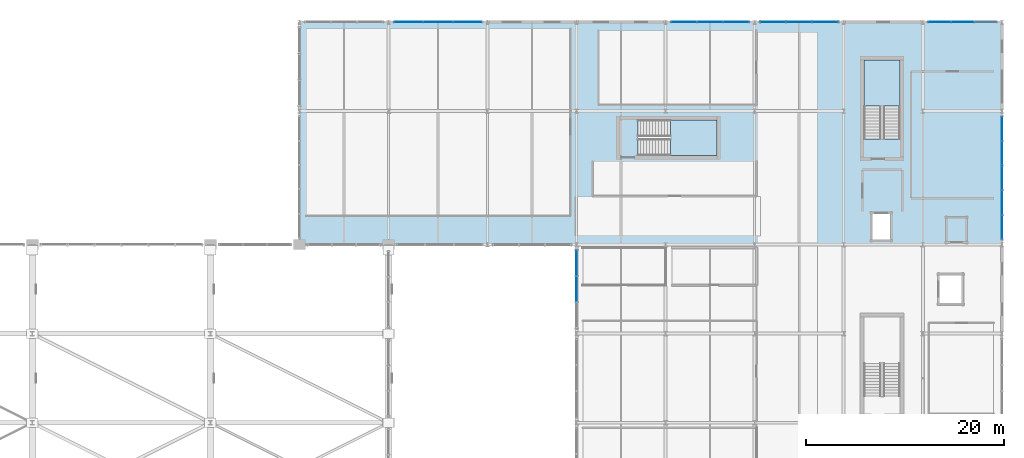
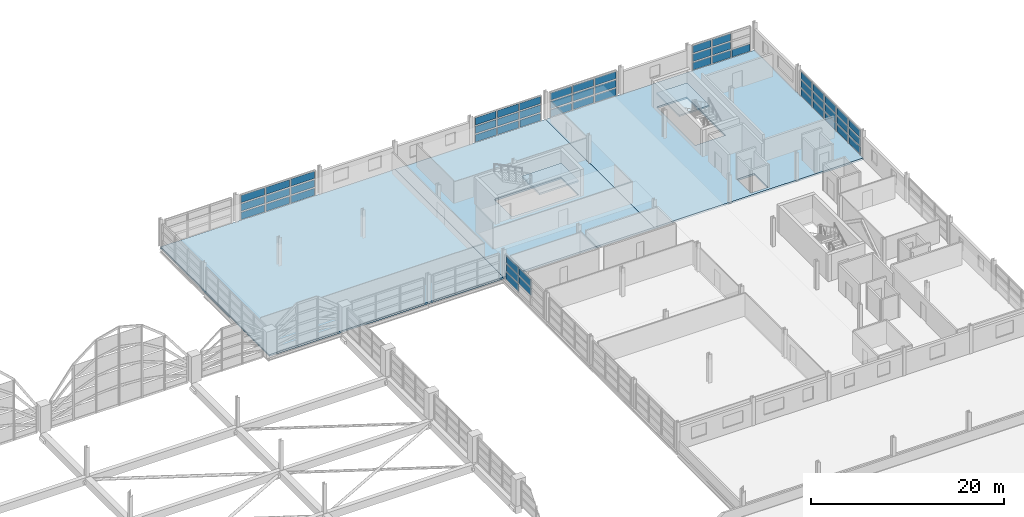
# One storey, part 96 of 116: 54 plates, 5 slabs, 8 elements without a shape of their own.
"""IFC4 building model written with IfcOpenShell, lengths in metres."""

from ifc_helpers import new_model, si_unit, direction, frame, origin, origin_2d, place, context, subcontext, project, spatial, polyline, rectangle, outline, extrude, material, layer, layer_set, type_object, element, aggregate, save


model = new_model("IFC4")

# Units and contexts
model_context = context("Model", 3, precision=1e-05, world=origin(), true_north=direction((0.0, 1.0)))
body_context = subcontext(model_context, "Body", "Model", "MODEL_VIEW")
ifc_project = project(units=[si_unit("LENGTHUNIT", "METRE"), si_unit("AREAUNIT", "SQUARE_METRE"), si_unit("VOLUMEUNIT", "CUBIC_METRE"), si_unit("PLANEANGLEUNIT", "RADIAN"), si_unit("MASSUNIT", "GRAM", prefix="KILO")], contexts=[model_context])

# Site, building, storey
site_placement = place(None, origin())
site = spatial("IfcSite", under=ifc_project, at=site_placement, CompositionType="ELEMENT")
building_placement = place(site_placement, origin())
building = spatial("IfcBuilding", under=site, at=building_placement, Name="Chuanluo Vaults Station", CompositionType="ELEMENT")
storey_placement = place(building_placement, frame((0.0, 0.0, 10.800048828125)))
storey = spatial("IfcBuildingStorey", under=building, at=storey_placement, Name="L02", CompositionType="ELEMENT", Elevation=10.800048828125)

# Curtain wall, plate
ifc_material_1 = material(Name="Anodised aluminium 6063-T6", Category="aluminium")
curtain_wall_type_1 = type_object("IfcCurtainWallType", Name="CW-SYS-05", PredefinedType="NOTDEFINED", material=ifc_material_1)
curtain_wall_1_placement = place(storey_placement, origin())
curtain_wall_1 = element("IfcCurtainWall", 1, at=curtain_wall_1_placement, inside=storey, type_object=curtain_wall_type_1, Name="Operations L02 facade CW", PredefinedType="NOTDEFINED")
ifc_material_2 = material(Name="Ceramic-fritted spandrel glass", Category="glass")
ifc_layer_1 = layer(ifc_material_2, 0.06396484375)
ifc_layer_set_1 = layer_set([ifc_layer_1], Name="Ceramic-fritted spandrel glass")
plate_type_1 = type_object("IfcPlateType", Name="CWP-SPN-42", PredefinedType="SHEET", material=ifc_layer_set_1)
plate_1_placement = place(storey_placement, frame((145.0, 101.64990234375, 0.079833984375), z_axis=(0.0, 0.0, 1.0), x_axis=(0.0, 1.0, 0.0)))
plate_1 = element("IfcPlate", 2, at=plate_1_placement, type_object=plate_type_1, Name="Operations L02 facade CW glazed panel 3.1", PredefinedType="SHEET", context=body_context, shape_type="SweptSolid", body=[
    extrude(rectangle(XDim=2.489990234375, YDim=0.06396484375, at=origin_2d()), origin(), (0.0, 0.0, 1.0), 0.90673828125),
])

# Curtain wall, plates
ifc_material_3 = material(Name="Anodised aluminium 6063-T6", Category="aluminium")
curtain_wall_type_2 = type_object("IfcCurtainWallType", Name="CW-SYS-11", PredefinedType="NOTDEFINED", material=ifc_material_3)
curtain_wall_2_placement = place(storey_placement, origin())
curtain_wall_2 = element("IfcCurtainWall", 3, at=curtain_wall_2_placement, inside=storey, type_object=curtain_wall_type_2, Name="Operations L02 facade CW", PredefinedType="NOTDEFINED")
plate_2_placement = place(storey_placement, frame((128.0166015625, 126.0, 0.079833984375), z_axis=(0.0, 0.0, 1.0), x_axis=(1.0, 0.0, 0.0)))
plate_2 = element("IfcPlate", 4, at=plate_2_placement, type_object=plate_type_1, Name="Operations L02 facade CW glazed panel 1.1", PredefinedType="SHEET", context=body_context, shape_type="SweptSolid", body=[
    extrude(rectangle(XDim=2.8232421875, YDim=0.06396484375, at=origin_2d()), origin(), (0.0, 0.0, 1.0), 0.90673828125),
])
plate_3_placement = place(storey_placement, frame((131.0, 126.0, 0.079833984375), z_axis=(0.0, 0.0, 1.0), x_axis=(1.0, 0.0, 0.0)))
plate_3 = element("IfcPlate", 5, at=plate_3_placement, type_object=plate_type_1, Name="Operations L02 facade CW glazed panel 2.1", PredefinedType="SHEET", context=body_context, shape_type="SweptSolid", body=[
    extrude(rectangle(XDim=2.8232421875, YDim=0.06396484375, at=origin_2d()), origin(), (0.0, 0.0, 1.0), 0.90673828125),
])
plate_4_placement = place(storey_placement, frame((133.9833984375, 126.0, 0.079833984375), z_axis=(0.0, 0.0, 1.0), x_axis=(1.0, 0.0, 0.0)))
plate_4 = element("IfcPlate", 6, at=plate_4_placement, type_object=plate_type_1, Name="Operations L02 facade CW glazed panel 3.1", PredefinedType="SHEET", context=body_context, shape_type="SweptSolid", body=[
    extrude(rectangle(XDim=2.8232421875, YDim=0.06396484375, at=origin_2d()), origin(), (0.0, 0.0, 1.0), 0.90673828125),
])

ifc_material_4 = material(Name="Anodised aluminium 6063-T6", Category="aluminium")
curtain_wall_type_3 = type_object("IfcCurtainWallType", Name="CW-SYS-13", PredefinedType="NOTDEFINED", material=ifc_material_4)
curtain_wall_3_placement = place(storey_placement, origin())
curtain_wall_3 = element("IfcCurtainWall", 7, at=curtain_wall_3_placement, inside=storey, type_object=curtain_wall_type_3, Name="Operations L02 facade CW", PredefinedType="NOTDEFINED")
plate_5_placement = place(storey_placement, frame((164.85009765625, 126.0, 0.079833984375), z_axis=(0.0, 0.0, 1.0), x_axis=(1.0, 0.0, 0.0)))
plate_5 = element("IfcPlate", 8, at=plate_5_placement, type_object=plate_type_1, Name="Operations L02 facade CW glazed panel 1.1", PredefinedType="SHEET", context=body_context, shape_type="SweptSolid", body=[
    extrude(rectangle(XDim=2.489990234375, YDim=0.06396484375, at=origin_2d()), origin(), (0.0, 0.0, 1.0), 0.90673828125),
])
plate_6_placement = place(storey_placement, frame((167.5, 126.0, 0.079833984375), z_axis=(0.0, 0.0, 1.0), x_axis=(1.0, 0.0, 0.0)))
plate_6 = element("IfcPlate", 9, at=plate_6_placement, type_object=plate_type_1, Name="Operations L02 facade CW glazed panel 2.1", PredefinedType="SHEET", context=body_context, shape_type="SweptSolid", body=[
    extrude(rectangle(XDim=2.489990234375, YDim=0.06396484375, at=origin_2d()), origin(), (0.0, 0.0, 1.0), 0.90673828125),
])
plate_7_placement = place(storey_placement, frame((170.14990234375, 126.0, 0.079833984375), z_axis=(0.0, 0.0, 1.0), x_axis=(1.0, 0.0, 0.0)))
plate_7 = element("IfcPlate", 10, at=plate_7_placement, type_object=plate_type_1, Name="Operations L02 facade CW glazed panel 3.1", PredefinedType="SHEET", context=body_context, shape_type="SweptSolid", body=[
    extrude(rectangle(XDim=2.489990234375, YDim=0.06396484375, at=origin_2d()), origin(), (0.0, 0.0, 1.0), 0.90673828125),
])

ifc_material_5 = material(Name="Anodised aluminium 6063-T6", Category="aluminium")
curtain_wall_type_4 = type_object("IfcCurtainWallType", Name="CW-SYS-17", PredefinedType="NOTDEFINED", material=ifc_material_5)
curtain_wall_4_placement = place(storey_placement, origin())
curtain_wall_4 = element("IfcCurtainWall", 11, at=curtain_wall_4_placement, inside=storey, type_object=curtain_wall_type_4, Name="Operations L02 facade CW", PredefinedType="NOTDEFINED")
plate_8_placement = place(storey_placement, frame((188.0, 115.22998046875, 0.079833984375), z_axis=(0.0, 0.0, 1.0), x_axis=(0.0, -1.0, 0.0)))
plate_8 = element("IfcPlate", 12, at=plate_8_placement, type_object=plate_type_1, Name="Operations L02 facade CW glazed panel 1.1", PredefinedType="SHEET", context=body_context, shape_type="SweptSolid", body=[
    extrude(rectangle(XDim=2.330078125, YDim=0.06396484375, at=origin_2d()), origin(), (0.0, 0.0, 1.0), 0.90673828125),
])
plate_9_placement = place(storey_placement, frame((188.0, 112.739990234375, 0.079833984375), z_axis=(0.0, 0.0, 1.0), x_axis=(0.0, -1.0, 0.0)))
plate_9 = element("IfcPlate", 13, at=plate_9_placement, type_object=plate_type_1, Name="Operations L02 facade CW glazed panel 2.1", PredefinedType="SHEET", context=body_context, shape_type="SweptSolid", body=[
    extrude(rectangle(XDim=2.330078125, YDim=0.06396484375, at=origin_2d()), origin(), (0.0, 0.0, 1.0), 0.90673828125),
])
plate_10_placement = place(storey_placement, frame((188.0, 110.25, 0.079833984375), z_axis=(0.0, 0.0, 1.0), x_axis=(0.0, -1.0, 0.0)))
plate_10 = element("IfcPlate", 14, at=plate_10_placement, type_object=plate_type_1, Name="Operations L02 facade CW glazed panel 3.1", PredefinedType="SHEET", context=body_context, shape_type="SweptSolid", body=[
    extrude(rectangle(XDim=2.330078125, YDim=0.06396484375, at=origin_2d()), origin(), (0.0, 0.0, 1.0), 0.90673828125),
])
plate_11_placement = place(storey_placement, frame((188.0, 107.760009765625, 0.079833984375), z_axis=(0.0, 0.0, 1.0), x_axis=(0.0, -1.0, 0.0)))
plate_11 = element("IfcPlate", 15, at=plate_11_placement, type_object=plate_type_1, Name="Operations L02 facade CW glazed panel 4.1", PredefinedType="SHEET", context=body_context, shape_type="SweptSolid", body=[
    extrude(rectangle(XDim=2.330078125, YDim=0.06396484375, at=origin_2d()), origin(), (0.0, 0.0, 1.0), 0.90673828125),
])
plate_12_placement = place(storey_placement, frame((188.0, 105.27001953125, 0.079833984375), z_axis=(0.0, 0.0, 1.0), x_axis=(0.0, -1.0, 0.0)))
plate_12 = element("IfcPlate", 16, at=plate_12_placement, type_object=plate_type_1, Name="Operations L02 facade CW glazed panel 5.1", PredefinedType="SHEET", context=body_context, shape_type="SweptSolid", body=[
    extrude(rectangle(XDim=2.330078125, YDim=0.06396484375, at=origin_2d()), origin(), (0.0, 0.0, 1.0), 0.90673828125),
])

ifc_material_6 = material(Name="Anodised aluminium 6063-T6", Category="aluminium")
curtain_wall_type_5 = type_object("IfcCurtainWallType", Name="CW-SYS-12", PredefinedType="NOTDEFINED", material=ifc_material_6)
curtain_wall_5_placement = place(storey_placement, origin())
curtain_wall_5 = element("IfcCurtainWall", 17, at=curtain_wall_5_placement, inside=storey, type_object=curtain_wall_type_5, Name="Operations L02 facade CW", PredefinedType="NOTDEFINED")
ifc_material_7 = material(Name="Ceramic-fritted spandrel glass", Category="glass")
ifc_layer_2 = layer(ifc_material_7, 0.070068359375)
ifc_layer_set_2 = layer_set([ifc_layer_2], Name="Ceramic-fritted spandrel glass")
plate_type_2 = type_object("IfcPlateType", Name="CWP-SPN-50", PredefinedType="SHEET", material=ifc_layer_set_2)
plate_13_placement = place(storey_placement, frame((155.85009765625, 126.0, 0.079833984375), z_axis=(0.0, 0.0, 1.0), x_axis=(1.0, 0.0, 0.0)))
plate_13 = element("IfcPlate", 18, at=plate_13_placement, type_object=plate_type_2, Name="Operations L02 facade CW glazed panel 1.1", PredefinedType="SHEET", context=body_context, shape_type="SweptSolid", body=[
    extrude(rectangle(XDim=2.489990234375, YDim=0.070068359375, at=origin_2d()), origin(), (0.0, 0.0, 1.0), 0.90673828125),
])
plate_14_placement = place(storey_placement, frame((158.5, 126.0, 0.079833984375), z_axis=(0.0, 0.0, 1.0), x_axis=(1.0, 0.0, 0.0)))
plate_14 = element("IfcPlate", 19, at=plate_14_placement, type_object=plate_type_2, Name="Operations L02 facade CW glazed panel 2.1", PredefinedType="SHEET", context=body_context, shape_type="SweptSolid", body=[
    extrude(rectangle(XDim=2.489990234375, YDim=0.070068359375, at=origin_2d()), origin(), (0.0, 0.0, 1.0), 0.90673828125),
])
plate_15_placement = place(storey_placement, frame((161.14990234375, 126.0, 0.079833984375), z_axis=(0.0, 0.0, 1.0), x_axis=(1.0, 0.0, 0.0)))
plate_15 = element("IfcPlate", 20, at=plate_15_placement, type_object=plate_type_2, Name="Operations L02 facade CW glazed panel 3.1", PredefinedType="SHEET", context=body_context, shape_type="SweptSolid", body=[
    extrude(rectangle(XDim=2.489990234375, YDim=0.070068359375, at=origin_2d()), origin(), (0.0, 0.0, 1.0), 0.90673828125),
])

ifc_material_8 = material(Name="Anodised aluminium 6063-T6", Category="aluminium")
curtain_wall_type_6 = type_object("IfcCurtainWallType", Name="CW-SYS-14", PredefinedType="NOTDEFINED", material=ifc_material_8)
curtain_wall_6_placement = place(storey_placement, origin())
curtain_wall_6 = element("IfcCurtainWall", 21, at=curtain_wall_6_placement, inside=storey, type_object=curtain_wall_type_6, Name="Operations L02 facade CW", PredefinedType="NOTDEFINED")
plate_16_placement = place(storey_placement, frame((181.683349609375, 126.0, 0.079833984375), z_axis=(0.0, 0.0, 1.0), x_axis=(1.0, 0.0, 0.0)))
plate_16 = element("IfcPlate", 22, at=plate_16_placement, type_object=plate_type_2, Name="Operations L02 facade CW glazed panel 1.1", PredefinedType="SHEET", context=body_context, shape_type="SweptSolid", body=[
    extrude(rectangle(XDim=2.15673828125, YDim=0.070068359375, at=origin_2d()), origin(), (0.0, 0.0, 1.0), 0.90673828125),
])
plate_17_placement = place(storey_placement, frame((184.0, 126.0, 0.079833984375), z_axis=(0.0, 0.0, 1.0), x_axis=(1.0, 0.0, 0.0)))
plate_17 = element("IfcPlate", 23, at=plate_17_placement, type_object=plate_type_2, Name="Operations L02 facade CW glazed panel 2.1", PredefinedType="SHEET", context=body_context, shape_type="SweptSolid", body=[
    extrude(rectangle(XDim=2.15673828125, YDim=0.070068359375, at=origin_2d()), origin(), (0.0, 0.0, 1.0), 0.90673828125),
])
plate_18_placement = place(storey_placement, frame((186.316650390625, 126.0, 0.079833984375), z_axis=(0.0, 0.0, 1.0), x_axis=(1.0, 0.0, 0.0)))
plate_18 = element("IfcPlate", 24, at=plate_18_placement, type_object=plate_type_2, Name="Operations L02 facade CW glazed panel 3.1", PredefinedType="SHEET", context=body_context, shape_type="SweptSolid", body=[
    extrude(rectangle(XDim=2.15673828125, YDim=0.070068359375, at=origin_2d()), origin(), (0.0, 0.0, 1.0), 0.90673828125),
])

# Plate
ifc_material_9 = material(Name="Double-silver Low-E laminated glass", Category="glass")
ifc_layer_3 = layer(ifc_material_9, 0.0439453125)
ifc_layer_set_3 = layer_set([ifc_layer_3], Name="Double-silver Low-E laminated glass")
plate_type_3 = type_object("IfcPlateType", Name="CWP-VIS-28", PredefinedType="CURTAIN_PANEL", material=ifc_layer_set_3)
plate_19_placement = place(storey_placement, frame((155.85009765625, 126.0, 1.146484375), z_axis=(0.0, 0.0, 1.0), x_axis=(1.0, 0.0, 0.0)))
plate_19 = element("IfcPlate", 25, at=plate_19_placement, type_object=plate_type_3, Name="Operations L02 facade CW glazed panel 1.2", PredefinedType="CURTAIN_PANEL", context=body_context, shape_type="SweptSolid", body=[
    extrude(rectangle(XDim=2.489990234375, YDim=0.0439453125, at=origin_2d()), origin(), (0.0, 0.0, 1.0), 0.906494140625),
])

plate_20_placement = place(storey_placement, frame((155.85009765625, 126.0, 2.213134765625), z_axis=(0.0, 0.0, 1.0), x_axis=(1.0, 0.0, 0.0)))
plate_20 = element("IfcPlate", 26, at=plate_20_placement, type_object=plate_type_3, Name="Operations L02 facade CW glazed panel 1.3", PredefinedType="CURTAIN_PANEL", context=body_context, shape_type="SweptSolid", body=[
    extrude(rectangle(XDim=2.489990234375, YDim=0.0439453125, at=origin_2d()), origin(), (0.0, 0.0, 1.0), 0.90673828125),
])

plate_21_placement = place(storey_placement, frame((158.5, 126.0, 1.146484375), z_axis=(0.0, 0.0, 1.0), x_axis=(1.0, 0.0, 0.0)))
plate_21 = element("IfcPlate", 27, at=plate_21_placement, type_object=plate_type_3, Name="Operations L02 facade CW glazed panel 2.2", PredefinedType="CURTAIN_PANEL", context=body_context, shape_type="SweptSolid", body=[
    extrude(rectangle(XDim=2.489990234375, YDim=0.0439453125, at=origin_2d()), origin(), (0.0, 0.0, 1.0), 0.906494140625),
])

plate_22_placement = place(storey_placement, frame((158.5, 126.0, 2.213134765625), z_axis=(0.0, 0.0, 1.0), x_axis=(1.0, 0.0, 0.0)))
plate_22 = element("IfcPlate", 28, at=plate_22_placement, type_object=plate_type_3, Name="Operations L02 facade CW glazed panel 2.3", PredefinedType="CURTAIN_PANEL", context=body_context, shape_type="SweptSolid", body=[
    extrude(rectangle(XDim=2.489990234375, YDim=0.0439453125, at=origin_2d()), origin(), (0.0, 0.0, 1.0), 0.90673828125),
])

plate_23_placement = place(storey_placement, frame((161.14990234375, 126.0, 1.146484375), z_axis=(0.0, 0.0, 1.0), x_axis=(1.0, 0.0, 0.0)))
plate_23 = element("IfcPlate", 29, at=plate_23_placement, type_object=plate_type_3, Name="Operations L02 facade CW glazed panel 3.2", PredefinedType="CURTAIN_PANEL", context=body_context, shape_type="SweptSolid", body=[
    extrude(rectangle(XDim=2.489990234375, YDim=0.0439453125, at=origin_2d()), origin(), (0.0, 0.0, 1.0), 0.906494140625),
])

plate_24_placement = place(storey_placement, frame((161.14990234375, 126.0, 2.213134765625), z_axis=(0.0, 0.0, 1.0), x_axis=(1.0, 0.0, 0.0)))
plate_24 = element("IfcPlate", 30, at=plate_24_placement, type_object=plate_type_3, Name="Operations L02 facade CW glazed panel 3.3", PredefinedType="CURTAIN_PANEL", context=body_context, shape_type="SweptSolid", body=[
    extrude(rectangle(XDim=2.489990234375, YDim=0.0439453125, at=origin_2d()), origin(), (0.0, 0.0, 1.0), 0.90673828125),
])

aggregate(curtain_wall_5, [plate_13, plate_19, plate_20, plate_14, plate_21, plate_22, plate_15, plate_23, plate_24])

ifc_material_10 = material(Name="Double-silver Low-E laminated glass", Category="glass")
ifc_layer_4 = layer(ifc_material_10, 0.048095703125)
ifc_layer_set_4 = layer_set([ifc_layer_4], Name="Double-silver Low-E laminated glass")
plate_type_4 = type_object("IfcPlateType", Name="CWP-VIS-32", PredefinedType="CURTAIN_PANEL", material=ifc_layer_set_4)
plate_25_placement = place(storey_placement, frame((128.0166015625, 126.0, 1.146484375), z_axis=(0.0, 0.0, 1.0), x_axis=(1.0, 0.0, 0.0)))
plate_25 = element("IfcPlate", 31, at=plate_25_placement, type_object=plate_type_4, Name="Operations L02 facade CW glazed panel 1.2", PredefinedType="CURTAIN_PANEL", context=body_context, shape_type="SweptSolid", body=[
    extrude(rectangle(XDim=2.8232421875, YDim=0.048095703125, at=origin_2d()), origin(), (0.0, 0.0, 1.0), 0.906494140625),
])

plate_26_placement = place(storey_placement, frame((128.0166015625, 126.0, 2.213134765625), z_axis=(0.0, 0.0, 1.0), x_axis=(1.0, 0.0, 0.0)))
plate_26 = element("IfcPlate", 32, at=plate_26_placement, type_object=plate_type_4, Name="Operations L02 facade CW glazed panel 1.3", PredefinedType="CURTAIN_PANEL", context=body_context, shape_type="SweptSolid", body=[
    extrude(rectangle(XDim=2.8232421875, YDim=0.048095703125, at=origin_2d()), origin(), (0.0, 0.0, 1.0), 0.90673828125),
])

plate_27_placement = place(storey_placement, frame((131.0, 126.0, 1.146484375), z_axis=(0.0, 0.0, 1.0), x_axis=(1.0, 0.0, 0.0)))
plate_27 = element("IfcPlate", 33, at=plate_27_placement, type_object=plate_type_4, Name="Operations L02 facade CW glazed panel 2.2", PredefinedType="CURTAIN_PANEL", context=body_context, shape_type="SweptSolid", body=[
    extrude(rectangle(XDim=2.8232421875, YDim=0.048095703125, at=origin_2d()), origin(), (0.0, 0.0, 1.0), 0.906494140625),
])

plate_28_placement = place(storey_placement, frame((131.0, 126.0, 2.213134765625), z_axis=(0.0, 0.0, 1.0), x_axis=(1.0, 0.0, 0.0)))
plate_28 = element("IfcPlate", 34, at=plate_28_placement, type_object=plate_type_4, Name="Operations L02 facade CW glazed panel 2.3", PredefinedType="CURTAIN_PANEL", context=body_context, shape_type="SweptSolid", body=[
    extrude(rectangle(XDim=2.8232421875, YDim=0.048095703125, at=origin_2d()), origin(), (0.0, 0.0, 1.0), 0.90673828125),
])

plate_29_placement = place(storey_placement, frame((133.9833984375, 126.0, 1.146484375), z_axis=(0.0, 0.0, 1.0), x_axis=(1.0, 0.0, 0.0)))
plate_29 = element("IfcPlate", 35, at=plate_29_placement, type_object=plate_type_4, Name="Operations L02 facade CW glazed panel 3.2", PredefinedType="CURTAIN_PANEL", context=body_context, shape_type="SweptSolid", body=[
    extrude(rectangle(XDim=2.8232421875, YDim=0.048095703125, at=origin_2d()), origin(), (0.0, 0.0, 1.0), 0.906494140625),
])

plate_30_placement = place(storey_placement, frame((133.9833984375, 126.0, 2.213134765625), z_axis=(0.0, 0.0, 1.0), x_axis=(1.0, 0.0, 0.0)))
plate_30 = element("IfcPlate", 36, at=plate_30_placement, type_object=plate_type_4, Name="Operations L02 facade CW glazed panel 3.3", PredefinedType="CURTAIN_PANEL", context=body_context, shape_type="SweptSolid", body=[
    extrude(rectangle(XDim=2.8232421875, YDim=0.048095703125, at=origin_2d()), origin(), (0.0, 0.0, 1.0), 0.90673828125),
])

aggregate(curtain_wall_2, [plate_2, plate_25, plate_26, plate_3, plate_27, plate_28, plate_4, plate_29, plate_30])

ifc_material_11 = material(Name="Double-silver Low-E laminated glass", Category="glass")
ifc_layer_5 = layer(ifc_material_11, 0.053955078125)
ifc_layer_set_5 = layer_set([ifc_layer_5], Name="Double-silver Low-E laminated glass")
plate_type_5 = type_object("IfcPlateType", Name="CWP-VIS-36", PredefinedType="CURTAIN_PANEL", material=ifc_layer_set_5)
plate_31_placement = place(storey_placement, frame((181.683349609375, 126.0, 1.146484375), z_axis=(0.0, 0.0, 1.0), x_axis=(1.0, 0.0, 0.0)))
plate_31 = element("IfcPlate", 37, at=plate_31_placement, type_object=plate_type_5, Name="Operations L02 facade CW glazed panel 1.2", PredefinedType="CURTAIN_PANEL", context=body_context, shape_type="SweptSolid", body=[
    extrude(rectangle(XDim=2.15673828125, YDim=0.053955078125, at=origin_2d()), origin(), (0.0, 0.0, 1.0), 0.906494140625),
])

plate_32_placement = place(storey_placement, frame((181.683349609375, 126.0, 2.213134765625), z_axis=(0.0, 0.0, 1.0), x_axis=(1.0, 0.0, 0.0)))
plate_32 = element("IfcPlate", 38, at=plate_32_placement, type_object=plate_type_5, Name="Operations L02 facade CW glazed panel 1.3", PredefinedType="CURTAIN_PANEL", context=body_context, shape_type="SweptSolid", body=[
    extrude(rectangle(XDim=2.15673828125, YDim=0.053955078125, at=origin_2d()), origin(), (0.0, 0.0, 1.0), 0.90673828125),
])

plate_33_placement = place(storey_placement, frame((184.0, 126.0, 1.146484375), z_axis=(0.0, 0.0, 1.0), x_axis=(1.0, 0.0, 0.0)))
plate_33 = element("IfcPlate", 39, at=plate_33_placement, type_object=plate_type_5, Name="Operations L02 facade CW glazed panel 2.2", PredefinedType="CURTAIN_PANEL", context=body_context, shape_type="SweptSolid", body=[
    extrude(rectangle(XDim=2.15673828125, YDim=0.053955078125, at=origin_2d()), origin(), (0.0, 0.0, 1.0), 0.906494140625),
])

plate_34_placement = place(storey_placement, frame((184.0, 126.0, 2.213134765625), z_axis=(0.0, 0.0, 1.0), x_axis=(1.0, 0.0, 0.0)))
plate_34 = element("IfcPlate", 40, at=plate_34_placement, type_object=plate_type_5, Name="Operations L02 facade CW glazed panel 2.3", PredefinedType="CURTAIN_PANEL", context=body_context, shape_type="SweptSolid", body=[
    extrude(rectangle(XDim=2.15673828125, YDim=0.053955078125, at=origin_2d()), origin(), (0.0, 0.0, 1.0), 0.90673828125),
])

aggregate(curtain_wall_6, [plate_16, plate_31, plate_32, plate_17, plate_33, plate_34, plate_18])

ifc_material_12 = material(Name="Double-silver Low-E laminated glass", Category="glass")
ifc_layer_6 = layer(ifc_material_12, 0.05810546875)
ifc_layer_set_6 = layer_set([ifc_layer_6], Name="Double-silver Low-E laminated glass")
plate_type_6 = type_object("IfcPlateType", Name="CWP-VIS-38", PredefinedType="CURTAIN_PANEL", material=ifc_layer_set_6)
plate_35_placement = place(storey_placement, frame((145.0, 99.0, 1.146484375), z_axis=(0.0, 0.0, 1.0), x_axis=(0.0, 1.0, 0.0)))
plate_35 = element("IfcPlate", 41, at=plate_35_placement, type_object=plate_type_6, Name="Operations L02 facade CW glazed panel 2.2", PredefinedType="CURTAIN_PANEL", context=body_context, shape_type="SweptSolid", body=[
    extrude(rectangle(XDim=2.489990234375, YDim=0.05810546875, at=origin_2d()), origin(), (0.0, 0.0, 1.0), 0.906494140625),
])

plate_36_placement = place(storey_placement, frame((145.0, 99.0, 2.213134765625), z_axis=(0.0, 0.0, 1.0), x_axis=(0.0, 1.0, 0.0)))
plate_36 = element("IfcPlate", 42, at=plate_36_placement, type_object=plate_type_6, Name="Operations L02 facade CW glazed panel 2.3", PredefinedType="CURTAIN_PANEL", context=body_context, shape_type="SweptSolid", body=[
    extrude(rectangle(XDim=2.489990234375, YDim=0.05810546875, at=origin_2d()), origin(), (0.0, 0.0, 1.0), 0.90673828125),
])

plate_37_placement = place(storey_placement, frame((145.0, 101.64990234375, 1.146484375), z_axis=(0.0, 0.0, 1.0), x_axis=(0.0, 1.0, 0.0)))
plate_37 = element("IfcPlate", 43, at=plate_37_placement, type_object=plate_type_6, Name="Operations L02 facade CW glazed panel 3.2", PredefinedType="CURTAIN_PANEL", context=body_context, shape_type="SweptSolid", body=[
    extrude(rectangle(XDim=2.489990234375, YDim=0.05810546875, at=origin_2d()), origin(), (0.0, 0.0, 1.0), 0.906494140625),
])

plate_38_placement = place(storey_placement, frame((145.0, 101.64990234375, 2.213134765625), z_axis=(0.0, 0.0, 1.0), x_axis=(0.0, 1.0, 0.0)))
plate_38 = element("IfcPlate", 44, at=plate_38_placement, type_object=plate_type_6, Name="Operations L02 facade CW glazed panel 3.3", PredefinedType="CURTAIN_PANEL", context=body_context, shape_type="SweptSolid", body=[
    extrude(rectangle(XDim=2.489990234375, YDim=0.05810546875, at=origin_2d()), origin(), (0.0, 0.0, 1.0), 0.90673828125),
])

aggregate(curtain_wall_1, [plate_35, plate_36, plate_1, plate_37, plate_38])

plate_39_placement = place(storey_placement, frame((164.85009765625, 126.0, 1.146484375), z_axis=(0.0, 0.0, 1.0), x_axis=(1.0, 0.0, 0.0)))
plate_39 = element("IfcPlate", 45, at=plate_39_placement, type_object=plate_type_6, Name="Operations L02 facade CW glazed panel 1.2", PredefinedType="CURTAIN_PANEL", context=body_context, shape_type="SweptSolid", body=[
    extrude(rectangle(XDim=2.489990234375, YDim=0.05810546875, at=origin_2d()), origin(), (0.0, 0.0, 1.0), 0.906494140625),
])

plate_40_placement = place(storey_placement, frame((164.85009765625, 126.0, 2.213134765625), z_axis=(0.0, 0.0, 1.0), x_axis=(1.0, 0.0, 0.0)))
plate_40 = element("IfcPlate", 46, at=plate_40_placement, type_object=plate_type_6, Name="Operations L02 facade CW glazed panel 1.3", PredefinedType="CURTAIN_PANEL", context=body_context, shape_type="SweptSolid", body=[
    extrude(rectangle(XDim=2.489990234375, YDim=0.05810546875, at=origin_2d()), origin(), (0.0, 0.0, 1.0), 0.90673828125),
])

plate_41_placement = place(storey_placement, frame((167.5, 126.0, 1.146484375), z_axis=(0.0, 0.0, 1.0), x_axis=(1.0, 0.0, 0.0)))
plate_41 = element("IfcPlate", 47, at=plate_41_placement, type_object=plate_type_6, Name="Operations L02 facade CW glazed panel 2.2", PredefinedType="CURTAIN_PANEL", context=body_context, shape_type="SweptSolid", body=[
    extrude(rectangle(XDim=2.489990234375, YDim=0.05810546875, at=origin_2d()), origin(), (0.0, 0.0, 1.0), 0.906494140625),
])

plate_42_placement = place(storey_placement, frame((167.5, 126.0, 2.213134765625), z_axis=(0.0, 0.0, 1.0), x_axis=(1.0, 0.0, 0.0)))
plate_42 = element("IfcPlate", 48, at=plate_42_placement, type_object=plate_type_6, Name="Operations L02 facade CW glazed panel 2.3", PredefinedType="CURTAIN_PANEL", context=body_context, shape_type="SweptSolid", body=[
    extrude(rectangle(XDim=2.489990234375, YDim=0.05810546875, at=origin_2d()), origin(), (0.0, 0.0, 1.0), 0.90673828125),
])

plate_43_placement = place(storey_placement, frame((170.14990234375, 126.0, 1.146484375), z_axis=(0.0, 0.0, 1.0), x_axis=(1.0, 0.0, 0.0)))
plate_43 = element("IfcPlate", 49, at=plate_43_placement, type_object=plate_type_6, Name="Operations L02 facade CW glazed panel 3.2", PredefinedType="CURTAIN_PANEL", context=body_context, shape_type="SweptSolid", body=[
    extrude(rectangle(XDim=2.489990234375, YDim=0.05810546875, at=origin_2d()), origin(), (0.0, 0.0, 1.0), 0.906494140625),
])

plate_44_placement = place(storey_placement, frame((170.14990234375, 126.0, 2.213134765625), z_axis=(0.0, 0.0, 1.0), x_axis=(1.0, 0.0, 0.0)))
plate_44 = element("IfcPlate", 50, at=plate_44_placement, type_object=plate_type_6, Name="Operations L02 facade CW glazed panel 3.3", PredefinedType="CURTAIN_PANEL", context=body_context, shape_type="SweptSolid", body=[
    extrude(rectangle(XDim=2.489990234375, YDim=0.05810546875, at=origin_2d()), origin(), (0.0, 0.0, 1.0), 0.90673828125),
])

aggregate(curtain_wall_3, [plate_5, plate_39, plate_40, plate_6, plate_41, plate_42, plate_7, plate_43, plate_44])

plate_45_placement = place(storey_placement, frame((188.0, 115.22998046875, 1.146484375), z_axis=(0.0, 0.0, 1.0), x_axis=(0.0, -1.0, 0.0)))
plate_45 = element("IfcPlate", 51, at=plate_45_placement, type_object=plate_type_6, Name="Operations L02 facade CW glazed panel 1.2", PredefinedType="CURTAIN_PANEL", context=body_context, shape_type="SweptSolid", body=[
    extrude(rectangle(XDim=2.330078125, YDim=0.05810546875, at=origin_2d()), origin(), (0.0, 0.0, 1.0), 0.906494140625),
])

plate_46_placement = place(storey_placement, frame((188.0, 115.22998046875, 2.213134765625), z_axis=(0.0, 0.0, 1.0), x_axis=(0.0, -1.0, 0.0)))
plate_46 = element("IfcPlate", 52, at=plate_46_placement, type_object=plate_type_6, Name="Operations L02 facade CW glazed panel 1.3", PredefinedType="CURTAIN_PANEL", context=body_context, shape_type="SweptSolid", body=[
    extrude(rectangle(XDim=2.330078125, YDim=0.05810546875, at=origin_2d()), origin(), (0.0, 0.0, 1.0), 0.90673828125),
])

plate_47_placement = place(storey_placement, frame((188.0, 112.739990234375, 1.146484375), z_axis=(0.0, 0.0, 1.0), x_axis=(0.0, -1.0, 0.0)))
plate_47 = element("IfcPlate", 53, at=plate_47_placement, type_object=plate_type_6, Name="Operations L02 facade CW glazed panel 2.2", PredefinedType="CURTAIN_PANEL", context=body_context, shape_type="SweptSolid", body=[
    extrude(rectangle(XDim=2.330078125, YDim=0.05810546875, at=origin_2d()), origin(), (0.0, 0.0, 1.0), 0.906494140625),
])

plate_48_placement = place(storey_placement, frame((188.0, 112.739990234375, 2.213134765625), z_axis=(0.0, 0.0, 1.0), x_axis=(0.0, -1.0, 0.0)))
plate_48 = element("IfcPlate", 54, at=plate_48_placement, type_object=plate_type_6, Name="Operations L02 facade CW glazed panel 2.3", PredefinedType="CURTAIN_PANEL", context=body_context, shape_type="SweptSolid", body=[
    extrude(rectangle(XDim=2.330078125, YDim=0.05810546875, at=origin_2d()), origin(), (0.0, 0.0, 1.0), 0.90673828125),
])

plate_49_placement = place(storey_placement, frame((188.0, 110.25, 1.146484375), z_axis=(0.0, 0.0, 1.0), x_axis=(0.0, -1.0, 0.0)))
plate_49 = element("IfcPlate", 55, at=plate_49_placement, type_object=plate_type_6, Name="Operations L02 facade CW glazed panel 3.2", PredefinedType="CURTAIN_PANEL", context=body_context, shape_type="SweptSolid", body=[
    extrude(rectangle(XDim=2.330078125, YDim=0.05810546875, at=origin_2d()), origin(), (0.0, 0.0, 1.0), 0.906494140625),
])

plate_50_placement = place(storey_placement, frame((188.0, 110.25, 2.213134765625), z_axis=(0.0, 0.0, 1.0), x_axis=(0.0, -1.0, 0.0)))
plate_50 = element("IfcPlate", 56, at=plate_50_placement, type_object=plate_type_6, Name="Operations L02 facade CW glazed panel 3.3", PredefinedType="CURTAIN_PANEL", context=body_context, shape_type="SweptSolid", body=[
    extrude(rectangle(XDim=2.330078125, YDim=0.05810546875, at=origin_2d()), origin(), (0.0, 0.0, 1.0), 0.90673828125),
])

plate_51_placement = place(storey_placement, frame((188.0, 107.760009765625, 1.146484375), z_axis=(0.0, 0.0, 1.0), x_axis=(0.0, -1.0, 0.0)))
plate_51 = element("IfcPlate", 57, at=plate_51_placement, type_object=plate_type_6, Name="Operations L02 facade CW glazed panel 4.2", PredefinedType="CURTAIN_PANEL", context=body_context, shape_type="SweptSolid", body=[
    extrude(rectangle(XDim=2.330078125, YDim=0.05810546875, at=origin_2d()), origin(), (0.0, 0.0, 1.0), 0.906494140625),
])

plate_52_placement = place(storey_placement, frame((188.0, 107.760009765625, 2.213134765625), z_axis=(0.0, 0.0, 1.0), x_axis=(0.0, -1.0, 0.0)))
plate_52 = element("IfcPlate", 58, at=plate_52_placement, type_object=plate_type_6, Name="Operations L02 facade CW glazed panel 4.3", PredefinedType="CURTAIN_PANEL", context=body_context, shape_type="SweptSolid", body=[
    extrude(rectangle(XDim=2.330078125, YDim=0.05810546875, at=origin_2d()), origin(), (0.0, 0.0, 1.0), 0.90673828125),
])

plate_53_placement = place(storey_placement, frame((188.0, 105.27001953125, 1.146484375), z_axis=(0.0, 0.0, 1.0), x_axis=(0.0, -1.0, 0.0)))
plate_53 = element("IfcPlate", 59, at=plate_53_placement, type_object=plate_type_6, Name="Operations L02 facade CW glazed panel 5.2", PredefinedType="CURTAIN_PANEL", context=body_context, shape_type="SweptSolid", body=[
    extrude(rectangle(XDim=2.330078125, YDim=0.05810546875, at=origin_2d()), origin(), (0.0, 0.0, 1.0), 0.906494140625),
])

plate_54_placement = place(storey_placement, frame((188.0, 105.27001953125, 2.213134765625), z_axis=(0.0, 0.0, 1.0), x_axis=(0.0, -1.0, 0.0)))
plate_54 = element("IfcPlate", 60, at=plate_54_placement, type_object=plate_type_6, Name="Operations L02 facade CW glazed panel 5.3", PredefinedType="CURTAIN_PANEL", context=body_context, shape_type="SweptSolid", body=[
    extrude(rectangle(XDim=2.330078125, YDim=0.05810546875, at=origin_2d()), origin(), (0.0, 0.0, 1.0), 0.90673828125),
])

aggregate(curtain_wall_4, [plate_8, plate_45, plate_46, plate_9, plate_47, plate_48, plate_10, plate_49, plate_50, plate_11, plate_51, plate_52, plate_12, plate_53, plate_54])

# Stair, slab
ifc_material_13 = material(Name="Concrete C40", Category="concrete")
stair_type = type_object("IfcStairType", Name="STR-TWO-1600", PredefinedType="HALF_TURN_STAIR", material=ifc_material_13)
stair_1_placement = place(storey_placement, origin())
stair_1 = element("IfcStair", 61, at=stair_1_placement, inside=storey, type_object=stair_type, Name="L02 ST-02", PredefinedType="HALF_TURN_STAIR")
ifc_material_14 = material(Name="Concrete C40", Category="concrete")
ifc_layer_7 = layer(ifc_material_14, 0.199951171875)
ifc_layer_set_7 = layer_set([ifc_layer_7], Name="Concrete C40")
slab_type_1 = type_object("IfcSlabType", Name="SLB-LND-200", PredefinedType="LANDING", material=ifc_layer_set_7)
slab_1_placement = place(storey_placement, frame((0.0, 0.0, 1.599853515625)))
slab_1 = element("IfcSlab", 62, at=slab_1_placement, type_object=slab_type_1, Name="ST-02 landing 1", PredefinedType="LANDING", context=body_context, shape_type="SweptSolid", body=[
    extrude(outline(polyline([(177.6875, 117.487548828125), (177.6875, 122.172607421875), (174.0673828125, 122.172607421875), (174.0673828125, 117.487548828125), (177.6875, 117.487548828125)])), origin(), (0.0, 0.0, 1.0), 0.2001953125),
])
aggregate(stair_1, [slab_1])

stair_2_placement = place(storey_placement, origin())
stair_2 = element("IfcStair", 63, at=stair_2_placement, inside=storey, type_object=stair_type, Name="L02 ST-03", PredefinedType="HALF_TURN_STAIR")
slab_2_placement = place(storey_placement, frame((0.0, 0.0, 1.599853515625)))
slab_2 = element("IfcSlab", 64, at=slab_2_placement, type_object=slab_type_1, Name="ST-03 landing 1", PredefinedType="LANDING", context=body_context, shape_type="SweptSolid", body=[
    extrude(outline(polyline([(154.487548828125, 112.5), (159.172607421875, 112.5), (159.172607421875, 116.1201171875), (154.487548828125, 116.1201171875), (154.487548828125, 112.5)])), origin(), (0.0, 0.0, 1.0), 0.2001953125),
])
aggregate(stair_2, [slab_2])

# Slabs
ifc_material_15 = material(Name="Concrete C40", Category="concrete")
ifc_layer_8 = layer(ifc_material_15, 0.219970703125)
ifc_layer_set_8 = layer_set([ifc_layer_8], Name="Concrete C40")
slab_type_2 = type_object("IfcSlabType", Name="SLB-OPS-220", PredefinedType="FLOOR", material=ifc_layer_set_8)
slab_3_placement = place(storey_placement, frame((0.0, 0.0, -0.219970703125)))
element("IfcSlab", 65, at=slab_3_placement, inside=storey, type_object=slab_type_2, Name="L02 OPS slab 02", PredefinedType="FLOOR", context=body_context, shape_type="SweptSolid", body=[
    extrude(outline(polyline([(145.0, 103.5), (163.0, 103.5), (163.0, 126.0), (145.0, 126.0), (145.0, 103.5)]), holes=[polyline([(151.19140625, 112.5), (159.172607421875, 112.5), (159.172607421875, 116.1201171875), (151.19140625, 116.1201171875), (151.19140625, 112.5)])]), origin(), (0.0, 0.0, 1.0), 0.219970703125),
])
slab_4_placement = place(storey_placement, frame((0.0, 0.0, -0.219970703125)))
element("IfcSlab", 66, at=slab_4_placement, inside=storey, type_object=slab_type_2, Name="L02 OPS slab 04", PredefinedType="FLOOR", context=body_context, shape_type="SweptSolid", body=[
    extrude(outline(polyline([(163.0, 103.5), (188.0, 103.5), (188.0, 126.0), (163.0, 126.0), (163.0, 103.5)]), holes=[polyline([(177.6875, 114.19140625), (177.6875, 122.172607421875), (174.0673828125, 122.172607421875), (174.0673828125, 114.19140625), (177.6875, 114.19140625)]), polyline([(174.780029296875, 103.8798828125), (176.820068359375, 103.8798828125), (176.820068359375, 106.719970703125), (174.780029296875, 106.719970703125), (174.780029296875, 103.8798828125)])]), origin(), (0.0, 0.0, 1.0), 0.219970703125),
])
slab_5_placement = place(storey_placement, frame((0.0, 0.0, -0.219970703125)))
element("IfcSlab", 67, at=slab_5_placement, inside=storey, type_object=slab_type_2, Name="L02 OPSW slab 01", PredefinedType="FLOOR", context=body_context, shape_type="SweptSolid", body=[
    extrude(outline(polyline([(117.0, 103.5), (145.0, 103.5), (145.0, 126.0), (117.0, 126.0), (117.0, 103.5)])), origin(), (0.0, 0.0, 1.0), 0.219970703125),
])

save(model, "model.ifc")
